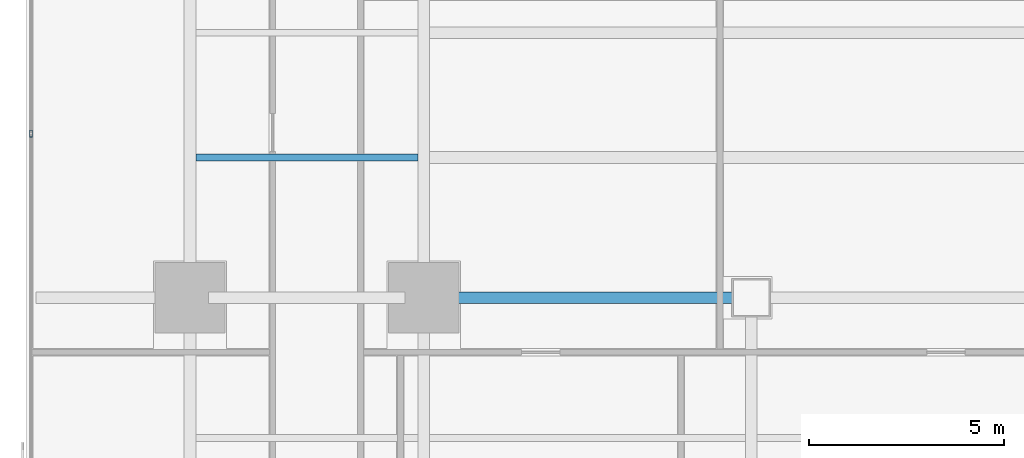
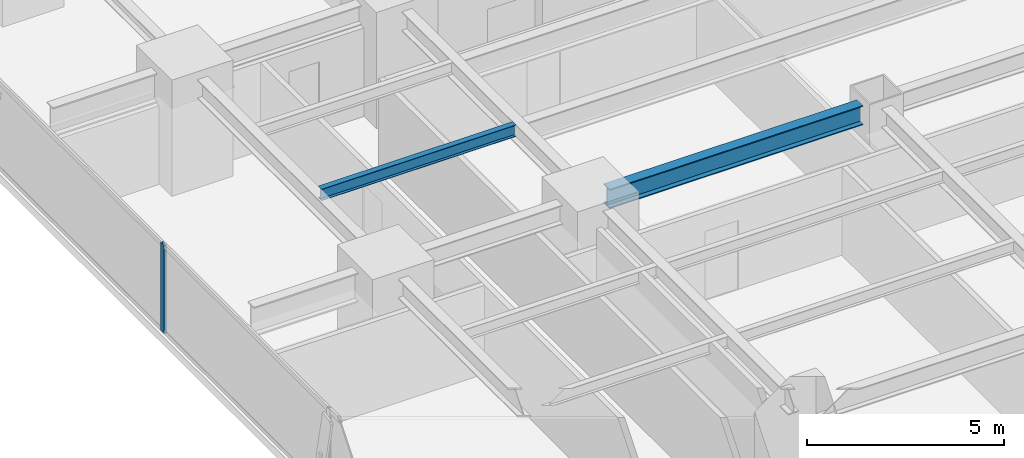
# One storey, part 9 of 32: 2 beams, 1 member, 1 element without a shape of its own.
"""IFC4 building model written with IfcOpenShell, lengths in metres."""

import ifcopenshell
import ifcopenshell.guid

model = None  # the IFC model being written
_history = None  # IfcOwnerHistory: only IFC2X3 demands one
_inside = {}  # id of a spatial element -> (the spatial element, [elements in it])
_under = {}  # id of a project, library or spatial element -> (it, [spatial elements below it])
_declared = {}  # id of a project -> (the project, [libraries it declares])
_typed = {}  # id of a type object -> (the type object, [elements of that type])
_made_of = {}  # id of a material, layer set ... -> (it, [elements and type objects made of it])


def new_model(schema):
    """Start an empty IFC model of exactly this schema.

    Asked for "IFC4X3", IfcOpenShell would pick the latest addendum, in which some entities
    have other attributes; the version numbers below select the first issue.
    IFC2X3 requires an IfcOwnerHistory on every rooted entity: one is made here for all.
    """
    global model, _history
    if schema == "IFC4X3":
        model = ifcopenshell.file(schema_version=(4, 3, 0, 0))
    else:
        model = ifcopenshell.file(schema=schema)
    _inside.clear()
    _under.clear()
    _declared.clear()
    _typed.clear()
    _made_of.clear()
    _history = None
    if model.schema == "IFC2X3":
        org = make("IfcOrganization", Name="unknown")
        user = make(
            "IfcPersonAndOrganization",
            ThePerson=make("IfcPerson", FamilyName="unknown"),
            TheOrganization=org,
        )
        app = make(
            "IfcApplication",
            ApplicationDeveloper=org,
            Version="unknown",
            ApplicationFullName="unknown",
            ApplicationIdentifier="unknown",
        )
        _history = make(
            "IfcOwnerHistory",
            OwningUser=user,
            OwningApplication=app,
            ChangeAction="ADDED",
            CreationDate=0,
        )
    return model


def make(cls, **values):
    """One entity of the class cls with the attributes given. An attribute that is None is left unset."""
    return model.create_entity(
        cls, **{name: value for name, value in values.items() if value is not None}
    )


def rooted(cls, **values):
    """An entity with a GlobalId (a new one), such as an element, a storey or a relation."""
    return make(cls, GlobalId=ifcopenshell.guid.new(), OwnerHistory=_history, **values)


def si_unit(unit_type, name, prefix=None):
    """IfcSIUnit, for example si_unit("LENGTHUNIT", "METRE", prefix="MILLI")."""
    return make("IfcSIUnit", UnitType=unit_type, Prefix=prefix, Name=name)


def assignment(units):
    """IfcUnitAssignment: the units of a project."""
    return None if units is None else make("IfcUnitAssignment", Units=units)


def point(xyz):
    """IfcCartesianPoint."""
    return None if xyz is None else make("IfcCartesianPoint", Coordinates=xyz)


def direction(xyz):
    """IfcDirection."""
    return None if xyz is None else make("IfcDirection", DirectionRatios=xyz)


def frame(location, z_axis=None, x_axis=None):
    """IfcAxis2Placement3D, a coordinate frame: its origin and axes. An axis left out is left unset."""
    return make(
        "IfcAxis2Placement3D",
        Location=point(location),
        Axis=direction(z_axis),
        RefDirection=direction(x_axis),
    )


def frame_2d(location, x_axis=None):
    """IfcAxis2Placement2D, a coordinate frame in the plane: its origin and x axis."""
    return make(
        "IfcAxis2Placement2D", Location=point(location), RefDirection=direction(x_axis)
    )


def origin():
    """The frame at (0, 0, 0) with its axes left unset."""
    return frame((0.0, 0.0, 0.0))


def origin_2d():
    """The frame at (0, 0) in the plane with its x axis left unset."""
    return frame_2d((0.0, 0.0))


def place(relative_to, where):
    """IfcLocalPlacement: puts the frame where relative to a parent placement (None: the world)."""
    return make(
        "IfcLocalPlacement", PlacementRelTo=relative_to, RelativePlacement=where
    )


def context(
    kind, dimensions, precision=None, world=None, true_north=None, identifier=None
):
    """IfcGeometricRepresentationContext, for example the 3D "Model" context."""
    return make(
        "IfcGeometricRepresentationContext",
        ContextIdentifier=identifier,
        ContextType=kind,
        CoordinateSpaceDimension=dimensions,
        Precision=precision,
        WorldCoordinateSystem=world,
        TrueNorth=true_north,
    )


def subcontext(parent, identifier, kind, view, scale=None):
    """IfcGeometricRepresentationSubContext, for example "Body" below "Model"."""
    return make(
        "IfcGeometricRepresentationSubContext",
        ContextIdentifier=identifier,
        ContextType=kind,
        ParentContext=parent,
        TargetScale=scale,
        TargetView=view,
    )


def project(units=None, contexts=None):
    """IfcProject with its units and contexts."""
    return rooted(
        "IfcProject",
        Name="project",
        RepresentationContexts=contexts,
        UnitsInContext=assignment(units),
    )


def spatial(cls, under=None, at=None, **own):
    """A site, building, storey or space (cls), placed at a placement, below another one or the project."""
    s = rooted(cls, ObjectPlacement=at, **own)
    if under is not None:
        _under.setdefault(under.id(), (under, []))[1].append(s)
    return s


def profile(cls, at=None, kind="AREA", **sizes):
    """A parametric profile (cls). Its sizes go by their IFC names, for example OverallWidth=200.0."""
    return make(cls, ProfileType=kind, Position=at, **sizes)


def hollow_rectangle(**sizes):
    """IfcRectangleHollowProfileDef."""
    return profile("IfcRectangleHollowProfileDef", **sizes)


def i_section(**sizes):
    """IfcIShapeProfileDef."""
    return profile("IfcIShapeProfileDef", **sizes)


def extrude(swept, where, along, depth):
    """IfcExtrudedAreaSolid: the profile swept, set in the frame where, extruded along a direction by depth."""
    return make(
        "IfcExtrudedAreaSolid",
        SweptArea=swept,
        Position=where,
        ExtrudedDirection=direction(along),
        Depth=depth,
    )


def shape(context_of_items, identifier, shape_type, items):
    """IfcShapeRepresentation: the items that make up one representation, for example the "Body"."""
    return make(
        "IfcShapeRepresentation",
        ContextOfItems=context_of_items,
        RepresentationIdentifier=identifier,
        RepresentationType=shape_type,
        Items=items,
    )


def source(mapping_origin, context_of_items, identifier, shape_type, items):
    """IfcRepresentationMap: a shape defined once, which mapped items show again and again."""
    return make(
        "IfcRepresentationMap",
        MappingOrigin=mapping_origin,
        MappedRepresentation=shape(context_of_items, identifier, shape_type, items),
    )


def transform(
    local_origin,
    x_axis=None,
    y_axis=None,
    z_axis=None,
    scale=None,
    scale2=None,
    scale3=None,
    uniform=True,
):
    """IfcCartesianTransformationOperator3D, or its non-uniform kind. x_axis, y_axis, z_axis: its Axis1, 2, 3."""
    if uniform:
        return make(
            "IfcCartesianTransformationOperator3D",
            Axis1=direction(x_axis),
            Axis2=direction(y_axis),
            LocalOrigin=point(local_origin),
            Scale=scale,
            Axis3=direction(z_axis),
        )
    return make(
        "IfcCartesianTransformationOperator3DnonUniform",
        Axis1=direction(x_axis),
        Axis2=direction(y_axis),
        LocalOrigin=point(local_origin),
        Scale=scale,
        Axis3=direction(z_axis),
        Scale2=scale2,
        Scale3=scale3,
    )


def mapped(mapping_source, mapping_target):
    """IfcMappedItem: shows the shape of a source again, moved by a transform."""
    return make(
        "IfcMappedItem", MappingSource=mapping_source, MappingTarget=mapping_target
    )


def material(Name=None, Category=None):
    """IfcMaterial."""
    return make("IfcMaterial", Name=Name, Category=Category)


def layer(
    of_material, thickness, ventilated=None, Name=None, Category=None, Priority=None
):
    """IfcMaterialLayer: one layer of a wall or slab, of a material (None: an air gap)."""
    return make(
        "IfcMaterialLayer",
        Material=of_material,
        LayerThickness=thickness,
        IsVentilated=ventilated,
        Name=Name,
        Category=Category,
        Priority=Priority,
    )


def layer_set(layers, Name=None):
    """IfcMaterialLayerSet."""
    return make("IfcMaterialLayerSet", MaterialLayers=layers, LayerSetName=Name)


def material_profile(
    of_material, cross_section, Name=None, Category=None, Priority=None
):
    """IfcMaterialProfile: a cross section and its material."""
    return make(
        "IfcMaterialProfile",
        Name=Name,
        Material=of_material,
        Profile=cross_section,
        Priority=Priority,
        Category=Category,
    )


def profile_set(profiles, Name=None, composite=None):
    """IfcMaterialProfileSet."""
    return make(
        "IfcMaterialProfileSet",
        Name=Name,
        MaterialProfiles=profiles,
        CompositeProfile=composite,
    )


def made_of(thing, what):
    """Note that an element or type object is made of a material, layer set ...; save() writes the relation."""
    if what is not None:
        _made_of.setdefault(what.id(), (what, []))[1].append(thing)
    return thing


def type_object(cls, material=None, **own):
    """A type object (cls), such as IfcWallType, which elements share."""
    return made_of(rooted(cls, **own), material)


def element(
    cls,
    number,
    at=None,
    inside=None,
    cuts=None,
    type_object=None,
    material=None,
    context=None,
    identifier="Body",
    shape_type=None,
    held_by="IfcProductDefinitionShape",
    body=None,
    shapes=None,
    **own,
):
    """One element of the class cls, such as IfcWall. Its Tag is "e" and its number.

    at: its placement. inside: the storey or other place that contains it. cuts: it is an
    opening in that element (IfcRelVoidsElement). A single representation is given by context,
    identifier, shape_type and body (its items); several are given by shapes. held_by: the class
    of the entity that holds the representations. save() writes the other relations.
    """
    e = rooted(cls, Tag="e%d" % number, ObjectPlacement=at, **own)
    if body is not None:
        shapes = [shape(context, identifier, shape_type, body)]
    if shapes is not None:
        e.Representation = make(held_by, Representations=shapes)
    if inside is not None:
        _inside.setdefault(inside.id(), (inside, []))[1].append(e)
    if cuts is not None:
        rooted(
            "IfcRelVoidsElement", RelatingBuildingElement=cuts, RelatedOpeningElement=e
        )
    if type_object is not None:
        _typed.setdefault(type_object.id(), (type_object, []))[1].append(e)
    return made_of(e, material)


def aggregate(whole, parts):
    """IfcRelAggregates: a whole, such as a stair, and the parts it consists of."""
    return rooted("IfcRelAggregates", RelatingObject=whole, RelatedObjects=parts)


def save(model, path):
    """Write the relations noted so far, then the file.

    IfcRelAggregates (storeys below a building ...), IfcRelContainedInSpatialStructure (elements
    in a storey), IfcRelDefinesByType, IfcRelAssociatesMaterial and IfcRelDeclares: one each for
    every whole, place, type object, material and project.
    """
    for whole, parts in _under.values():
        aggregate(whole, parts)
    for where, things in _inside.values():
        rooted(
            "IfcRelContainedInSpatialStructure",
            RelatedElements=things,
            RelatingStructure=where,
        )
    for kind, things in _typed.values():
        rooted("IfcRelDefinesByType", RelatedObjects=things, RelatingType=kind)
    for what, things in _made_of.values():
        rooted("IfcRelAssociatesMaterial", RelatedObjects=things, RelatingMaterial=what)
    for by, libraries in _declared.values():
        rooted("IfcRelDeclares", RelatingContext=by, RelatedDefinitions=libraries)
    model.write(path)


model = new_model("IFC4")

# Units and contexts
model_context = context("Model", 3, precision=1e-05, world=origin(), true_north=direction((0.0, 1.0)))
body_context = subcontext(model_context, "Body", "Model", "MODEL_VIEW")
ifc_project = project(units=[si_unit("LENGTHUNIT", "METRE"), si_unit("AREAUNIT", "SQUARE_METRE"), si_unit("VOLUMEUNIT", "CUBIC_METRE"), si_unit("PLANEANGLEUNIT", "RADIAN"), si_unit("MASSUNIT", "GRAM", prefix="KILO")], contexts=[model_context])

# Site, building, storey
site_placement = place(None, origin())
site = spatial("IfcSite", under=ifc_project, at=site_placement, CompositionType="ELEMENT")
building_placement = place(site_placement, origin())
building = spatial("IfcBuilding", under=site, at=building_placement, Name="Sumidabori Civic Tower", CompositionType="ELEMENT")
storey_placement = place(building_placement, frame((0.0, 0.0, 52.39990234375)))
storey = spatial("IfcBuildingStorey", under=building, at=storey_placement, Name="L13", CompositionType="ELEMENT", Elevation=52.39990234375)

# Beams
ifc_material_1 = material(Name="Steel SN490", Category="steel")
ifc_material_profile_1 = material_profile(ifc_material_1, i_section(OverallWidth=0.300048828125, OverallDepth=0.60009765625, WebThickness=0.015380859375, FlangeThickness=0.030029296875, at=origin_2d()), Name="HE 600 B")
ifc_profile_set_1 = profile_set([ifc_material_profile_1], Name="Steel SN490")
beam_type_1 = type_object("IfcBeamType", Name="BM-GIRD-600", PredefinedType="BEAM", material=ifc_profile_set_1)
shared_shape_1 = source(origin(), body_context, "Body", "SweptSolid", [
    extrude(i_section(OverallWidth=0.300048828125, OverallDepth=0.60009765625, WebThickness=0.015380859375, FlangeThickness=0.030029296875, at=origin_2d()), origin(), (0.0, 0.0, 1.0), 7.440185546875),
])
beam_1_placement = place(storey_placement, frame((-16.320068359375, 0.0, 3.06005859375), z_axis=(1.0, 0.0, 0.0), x_axis=(0.0, 1.0, 0.0)))
element("IfcBeam", 1, at=beam_1_placement, inside=storey, type_object=beam_type_1, Name="Primary Girder L13 GX-14", PredefinedType="BEAM", context=body_context, shape_type="MappedRepresentation", body=[
    mapped(shared_shape_1, transform((0.0, 0.0, 0.0), x_axis=(1.0, 0.0, 0.0), y_axis=(0.0, 1.0, 0.0), z_axis=(0.0, 0.0, 1.0), scale=1.0)),
])
ifc_material_profile_2 = material_profile(ifc_material_1, i_section(OverallWidth=0.169921875, OverallDepth=0.360107421875, WebThickness=0.008056640625, FlangeThickness=0.0126953125, at=origin_2d()), Name="IPE 360")
ifc_profile_set_2 = profile_set([ifc_material_profile_2], Name="Steel SN490")
beam_type_2 = type_object("IfcBeamType", Name="BM-JST-360", PredefinedType="JOIST", material=ifc_profile_set_2)
shared_shape_2 = source(origin(), body_context, "Body", "SweptSolid", [
    extrude(i_section(OverallWidth=0.169921875, OverallDepth=0.360107421875, WebThickness=0.008056640625, FlangeThickness=0.0126953125, at=origin_2d()), origin(), (0.0, 0.0, 1.0), 5.699951171875),
])
beam_2_placement = place(storey_placement, frame((-22.64990234375, 3.60009765625, 3.18017578125), z_axis=(1.0, 0.0, 0.0), x_axis=(0.0, 1.0, 0.0)))
element("IfcBeam", 2, at=beam_2_placement, inside=storey, type_object=beam_type_2, Name="Outer Bay Floor Joist L13 JSTO-53", PredefinedType="JOIST", context=body_context, shape_type="MappedRepresentation", body=[
    mapped(shared_shape_2, transform((0.0, 0.0, 0.0), x_axis=(1.0, 0.0, 0.0), y_axis=(0.0, 1.0, 0.0), z_axis=(0.0, 0.0, 1.0), scale=1.0)),
])

# Curtain wall, member
ifc_material_2 = material(Name="Anodised Bronze Aluminium AW-6063-T6", Category="aluminium")
ifc_layer = layer(ifc_material_2, 0.179931640625, Name="Anodised Bronze Aluminium AW-6063-T6")
ifc_layer_set = layer_set([ifc_layer], Name="Anodised Bronze Aluminium AW-6063-T6")
curtain_wall_type = type_object("IfcCurtainWallType", Name="CW-SYS-2", PredefinedType="NOTDEFINED", material=ifc_layer_set)
curtain_wall_placement = place(storey_placement, origin())
curtain_wall = element("IfcCurtainWall", 3, at=curtain_wall_placement, inside=storey, type_object=curtain_wall_type, Name="Curtain Wall CW:L13:R10", PredefinedType="NOTDEFINED")
ifc_material_profile_3 = material_profile(ifc_material_2, hollow_rectangle(XDim=0.070068359375, YDim=0.179931640625, WallThickness=0.006103515625, at=origin_2d()), Name="ALU MULLION 180x70")
ifc_profile_set_3 = profile_set([ifc_material_profile_3], Name="Anodised Bronze Aluminium AW-6063-T6")
member_type = type_object("IfcMemberType", Name="CW-MUL-180", PredefinedType="MULLION", material=ifc_profile_set_3)
shared_shape_3 = source(origin(), body_context, "Body", "SweptSolid", [
    extrude(hollow_rectangle(XDim=0.070068359375, YDim=0.179931640625, WallThickness=0.006103515625, at=origin_2d()), origin(), (0.0, 0.0, 1.0), 2.739990234375),
])
member_placement = place(storey_placement, frame((-26.8798828125, 4.214111328125, 0.0), z_axis=(0.0, 0.0, 1.0), x_axis=(1.0, 0.0, 0.0)))
member = element("IfcMember", 4, at=member_placement, type_object=member_type, Name="CW-2 mullion 3", PredefinedType="MULLION", context=body_context, shape_type="MappedRepresentation", body=[
    mapped(shared_shape_3, transform((0.0, 0.0, 0.0), x_axis=(1.0, 0.0, 0.0), y_axis=(0.0, 1.0, 0.0), z_axis=(0.0, 0.0, 1.0), scale=1.0)),
])
aggregate(curtain_wall, [member])

save(model, "model.ifc")
